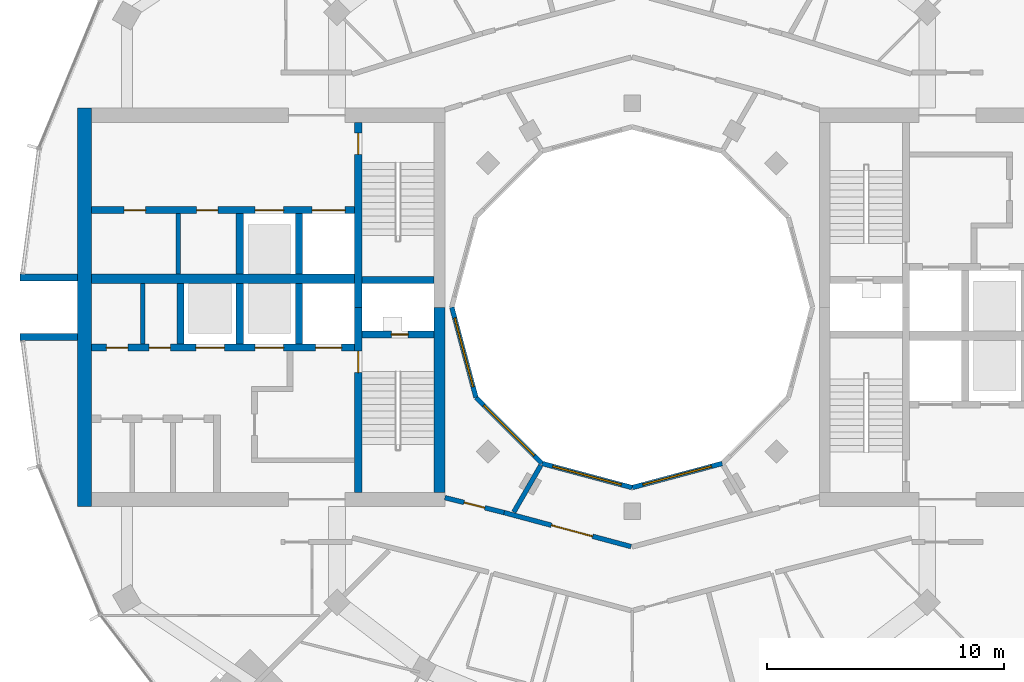
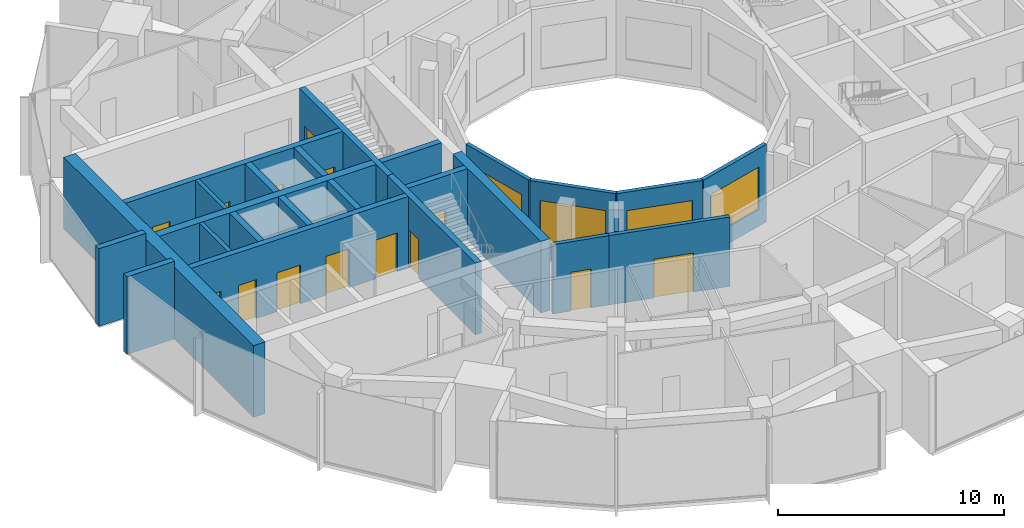
# One storey, part 9 of 15: 25 walls, 14 doors, 4 windows, 18 openings.
"""IFC4 building model written with IfcOpenShell, lengths in metres."""

from ifc_helpers import new_model, si_unit, direction, frame, frame_2d, origin, place, context, subcontext, project, spatial, rectangle, extrude, material, layer, layer_set, type_object, element, fill, save


model = new_model("IFC4")

# Units and contexts
model_context = context("Model", 3, precision=1e-05, world=origin(), true_north=direction((0.0, 1.0)))
body_context = subcontext(model_context, "Body", "Model", "MODEL_VIEW")
ifc_project = project(units=[si_unit("LENGTHUNIT", "METRE"), si_unit("AREAUNIT", "SQUARE_METRE"), si_unit("VOLUMEUNIT", "CUBIC_METRE"), si_unit("PLANEANGLEUNIT", "RADIAN"), si_unit("MASSUNIT", "GRAM", prefix="KILO")], contexts=[model_context])

# Site, building, storey
site_placement = place(None, origin())
site = spatial("IfcSite", under=ifc_project, at=site_placement, CompositionType="ELEMENT")
building_placement = place(site_placement, origin())
building = spatial("IfcBuilding", under=site, at=building_placement, Name="Torre Brocal", CompositionType="ELEMENT")
storey_placement = place(building_placement, frame((0.0, 0.0, 258.300048828125)))
storey = spatial("IfcBuildingStorey", under=building, at=storey_placement, Name="L59", CompositionType="ELEMENT", Elevation=258.300048828125)

# Walls
ifc_material_1 = material(Name="Masonry block", Category="masonry")
ifc_layer_1 = layer(ifc_material_1, 0.199951171875)
ifc_layer_set_1 = layer_set([ifc_layer_1], Name="Masonry block")
wall_type_1 = type_object("IfcWallType", Name="CORE PARTITION 200", PredefinedType="PARTITIONING", material=ifc_layer_set_1)
for number, where, z_axis, x_axis, name in (
    (1, (59.360107421875, 76.0, 0.0), (0.0, 0.0, 1.0), (0.0, -1.0, 0.0), "Wall CP200"),
    (2, (60.860107421875, 78.949951171875, 0.0), (0.0, 0.0, 1.0), (0.0, -1.0, 0.0), "Wall CP200"),
):
    element("IfcWall", number, at=place(storey_placement, frame(where, z_axis=z_axis, x_axis=x_axis)), inside=storey, type_object=wall_type_1, Name=name, PredefinedType="PARTITIONING", context=body_context, shape_type="SweptSolid", body=[
        extrude(rectangle(XDim=2.550048828125, YDim=0.199951171875, at=frame_2d((1.27490234375, 0.0))), origin(), (0.0, 0.0, 1.0), 3.8798828125),
    ])

# Wall, opening, door
ifc_material_2 = material(Name="Concrete C60", Category="concrete")
ifc_layer_2 = layer(ifc_material_2, 0.300048828125)
ifc_layer_set_2 = layer_set([ifc_layer_2], Name="Concrete C60")
wall_type_2 = type_object("IfcWallType", Name="CORE WALL 300 C60", PredefinedType="SHEAR", material=ifc_layer_set_2)
wall_1_placement = place(storey_placement, frame((68.449951171875, 75.0, 0.0), z_axis=(0.0, 0.0, 1.0), x_axis=(0.0, -1.0, 0.0)))
wall_1 = element("IfcWall", 3, at=wall_1_placement, inside=storey, type_object=wall_type_2, Name="Wall CW300-60", PredefinedType="SHEAR", context=body_context, shape_type="SweptSolid", body=[
    extrude(rectangle(XDim=7.800048828125, YDim=0.300048828125, at=frame_2d((3.89990234375, 0.0))), origin(), (0.0, 0.0, 1.0), 3.8798828125),
])
opening_1_placement = place(wall_1_placement, frame((1.85009765625, 0.0, 0.0)))
opening_1 = element("IfcOpeningElement", 4, at=opening_1_placement, cuts=wall_1, Name="Opening W-D02", PredefinedType="OPENING", context=body_context, shape_type="SweptSolid", body=[
    extrude(rectangle(XDim=0.89990234375, YDim=2.10009765625, at=frame_2d((0.449951171875, 1.050048828125))), frame((0.0, 0.159912109375, 0.0), z_axis=(0.0, -1.0, 0.0), x_axis=(1.0, 0.0, 0.0)), (0.0, 0.0, 1.0), 0.320068359375),
])
ifc_material_3 = material(Name="Steel A653", Category="steel")
door_type_1 = type_object("IfcDoorType", Name="STAIR DOOR FD120 900X2100", OperationType="SINGLE_SWING_RIGHT", PredefinedType="DOOR", material=ifc_material_3)
door_1_placement = place(opening_1_placement, origin())
door_1 = element("IfcDoor", 5, at=door_1_placement, inside=storey, type_object=door_type_1, Name="Door W-D02", OperationType="SINGLE_SWING_LEFT", OverallHeight=2.10009765625, OverallWidth=0.89990234375, PredefinedType="DOOR", context=body_context, shape_type="SweptSolid", body=[
    extrude(rectangle(XDim=0.89990234375, YDim=2.10009765625, at=frame_2d((0.449951171875, 1.050048828125))), frame((0.0, 0.02490234375, 0.0), z_axis=(0.0, -1.0, 0.0), x_axis=(1.0, 0.0, 0.0)), (0.0, 0.0, 1.0), 0.050048828125),
])
fill(opening_1, door_1)

wall_2_placement = place(storey_placement, frame((68.449951171875, 82.800048828125, 0.0), z_axis=(0.0, 0.0, 1.0), x_axis=(0.0, -1.0, 0.0)))
wall_2 = element("IfcWall", 6, at=wall_2_placement, inside=storey, type_object=wall_type_2, Name="Wall CW300-60", PredefinedType="SHEAR", context=body_context, shape_type="SweptSolid", body=[
    extrude(rectangle(XDim=7.800048828125, YDim=0.300048828125, at=frame_2d((3.89990234375, 0.0))), origin(), (0.0, 0.0, 1.0), 3.8798828125),
])
opening_2_placement = place(wall_2_placement, frame((0.449951171875, 0.0, 0.0)))
opening_2 = element("IfcOpeningElement", 7, at=opening_2_placement, cuts=wall_2, Name="Opening W-D03", PredefinedType="OPENING", context=body_context, shape_type="SweptSolid", body=[
    extrude(rectangle(XDim=0.89990234375, YDim=2.10009765625, at=frame_2d((0.449951171875, 1.050048828125))), frame((0.0, 0.159912109375, 0.0), z_axis=(0.0, -1.0, 0.0), x_axis=(1.0, 0.0, 0.0)), (0.0, 0.0, 1.0), 0.320068359375),
])
door_2_placement = place(opening_2_placement, origin())
door_2 = element("IfcDoor", 8, at=door_2_placement, inside=storey, type_object=door_type_1, Name="Door W-D03", OperationType="SINGLE_SWING_LEFT", OverallHeight=2.10009765625, OverallWidth=0.89990234375, PredefinedType="DOOR", context=body_context, shape_type="SweptSolid", body=[
    extrude(rectangle(XDim=0.89990234375, YDim=2.10009765625, at=frame_2d((0.449951171875, 1.050048828125))), frame((0.0, 0.02490234375, 0.0), z_axis=(0.0, -1.0, 0.0), x_axis=(1.0, 0.0, 0.0)), (0.0, 0.0, 1.0), 0.050048828125),
])
fill(opening_2, door_2)

wall_3_placement = place(storey_placement, frame((71.64990234375, 73.85009765625, 0.0), z_axis=(0.0, 0.0, 1.0), x_axis=(-1.0, 0.0, 0.0)))
wall_3 = element("IfcWall", 9, at=wall_3_placement, inside=storey, type_object=wall_type_2, Name="Wall CW300-60", PredefinedType="SHEAR", context=body_context, shape_type="SweptSolid", body=[
    extrude(rectangle(XDim=3.0498046875, YDim=0.300048828125, at=frame_2d((1.52490234375, 0.0))), origin(), (0.0, 0.0, 1.0), 3.8798828125),
])
opening_3_placement = place(wall_3_placement, frame((1.10009765625, 0.0, 0.0)))
opening_3 = element("IfcOpeningElement", 10, at=opening_3_placement, cuts=wall_3, Name="Opening W-D01", PredefinedType="OPENING", context=body_context, shape_type="SweptSolid", body=[
    extrude(rectangle(XDim=0.699951171875, YDim=2.0, at=frame_2d((0.35009765625, 1.0))), frame((0.0, 0.159912109375, 0.0), z_axis=(0.0, -1.0, 0.0), x_axis=(1.0, 0.0, 0.0)), (0.0, 0.0, 1.0), 0.320068359375),
])
ifc_material_4 = material(Name="Steel A653", Category="steel")
door_type_2 = type_object("IfcDoorType", Name="RISER DOOR FD120 700X2000", OperationType="SINGLE_SWING_LEFT", PredefinedType="DOOR", material=ifc_material_4)
door_3_placement = place(opening_3_placement, frame((0.699951171875, 0.0, 0.0), z_axis=(0.0, 0.0, 1.0), x_axis=(-1.0, 0.0, 0.0)))
door_3 = element("IfcDoor", 11, at=door_3_placement, inside=storey, type_object=door_type_2, Name="Door W-D01", OperationType="SINGLE_SWING_RIGHT", OverallHeight=2.0, OverallWidth=0.699951171875, PredefinedType="DOOR", context=body_context, shape_type="SweptSolid", body=[
    extrude(rectangle(XDim=0.699951171875, YDim=2.0, at=frame_2d((0.35009765625, 1.0))), frame((0.0, 0.02490234375, 0.0), z_axis=(0.0, -1.0, 0.0), x_axis=(1.0, 0.0, 0.0)), (0.0, 0.0, 1.0), 0.050048828125),
])
fill(opening_3, door_3)

# Wall
wall_4_placement = place(storey_placement, frame((71.64990234375, 76.14990234375, 0.0), z_axis=(0.0, 0.0, 1.0), x_axis=(-1.0, 0.0, 0.0)))
element("IfcWall", 12, at=wall_4_placement, inside=storey, type_object=wall_type_2, Name="Wall CW300-60", PredefinedType="SHEAR", context=body_context, shape_type="SweptSolid", body=[
    extrude(rectangle(XDim=3.0498046875, YDim=0.300048828125, at=frame_2d((1.52490234375, 0.0))), origin(), (0.0, 0.0, 1.0), 3.8798828125),
])

# Wall, openings, doors
wall_5_placement = place(storey_placement, frame((68.300048828125, 73.300048828125, 0.0), z_axis=(0.0, 0.0, 1.0), x_axis=(-1.0, 0.0, 0.0)))
wall_5 = element("IfcWall", 13, at=wall_5_placement, inside=storey, type_object=wall_type_2, Name="Wall CW300-60", PredefinedType="SHEAR", context=body_context, shape_type="SweptSolid", body=[
    extrude(rectangle(XDim=11.10009765625, YDim=0.300048828125, at=frame_2d((5.550048828125, 0.0))), origin(), (0.0, 0.0, 1.0), 3.8798828125),
])
opening_4_placement = place(wall_5_placement, frame((0.550048828125, 0.0, 0.0)))
opening_4 = element("IfcOpeningElement", 14, at=opening_4_placement, cuts=wall_5, Name="Opening LD", PredefinedType="OPENING", context=body_context, shape_type="SweptSolid", body=[
    extrude(rectangle(XDim=1.10009765625, YDim=2.10009765625, at=frame_2d((0.550048828125, 1.050048828125))), frame((0.0, 0.159912109375, 0.0), z_axis=(0.0, -1.0, 0.0), x_axis=(1.0, 0.0, 0.0)), (0.0, 0.0, 1.0), 0.320068359375),
])
opening_5_placement = place(wall_5_placement, frame((3.0, 0.0, 0.0)))
opening_5 = element("IfcOpeningElement", 15, at=opening_5_placement, cuts=wall_5, Name="Opening LD12", PredefinedType="OPENING", context=body_context, shape_type="SweptSolid", body=[
    extrude(rectangle(XDim=1.199951171875, YDim=2.10009765625, at=frame_2d((0.60009765625, 1.050048828125))), frame((0.0, 0.159912109375, 0.0), z_axis=(0.0, -1.0, 0.0), x_axis=(1.0, 0.0, 0.0)), (0.0, 0.0, 1.0), 0.320068359375),
])
opening_6_placement = place(wall_5_placement, frame((5.5, 0.0, 0.0)))
opening_6 = element("IfcOpeningElement", 16, at=opening_6_placement, cuts=wall_5, Name="Opening LD12", PredefinedType="OPENING", context=body_context, shape_type="SweptSolid", body=[
    extrude(rectangle(XDim=1.199951171875, YDim=2.10009765625, at=frame_2d((0.60009765625, 1.050048828125))), frame((0.0, 0.159912109375, 0.0), z_axis=(0.0, -1.0, 0.0), x_axis=(1.0, 0.0, 0.0)), (0.0, 0.0, 1.0), 0.320068359375),
])
opening_7_placement = place(wall_5_placement, frame((7.77001953125, 0.0, 0.0)))
opening_7 = element("IfcOpeningElement", 17, at=opening_7_placement, cuts=wall_5, Name="Opening W-D04", PredefinedType="OPENING", context=body_context, shape_type="SweptSolid", body=[
    extrude(rectangle(XDim=0.89990234375, YDim=2.10009765625, at=frame_2d((0.449951171875, 1.050048828125))), frame((0.0, 0.159912109375, 0.0), z_axis=(0.0, -1.0, 0.0), x_axis=(1.0, 0.0, 0.0)), (0.0, 0.0, 1.0), 0.320068359375),
])
opening_8_placement = place(wall_5_placement, frame((9.570068359375, 0.0, 0.0)))
opening_8 = element("IfcOpeningElement", 18, at=opening_8_placement, cuts=wall_5, Name="Opening W-D05", PredefinedType="OPENING", context=body_context, shape_type="SweptSolid", body=[
    extrude(rectangle(XDim=0.89990234375, YDim=2.10009765625, at=frame_2d((0.449951171875, 1.050048828125))), frame((0.0, 0.159912109375, 0.0), z_axis=(0.0, -1.0, 0.0), x_axis=(1.0, 0.0, 0.0)), (0.0, 0.0, 1.0), 0.320068359375),
])
ifc_material_5 = material(Name="Stainless steel AISI 316", Category="steel")
door_type_3 = type_object("IfcDoorType", Name="LIFT LANDING DOOR 1100X2100", OperationType="DOUBLE_DOOR_SLIDING", PredefinedType="DOOR", material=ifc_material_5)
door_4_placement = place(opening_4_placement, origin())
door_4 = element("IfcDoor", 19, at=door_4_placement, inside=storey, type_object=door_type_3, Name="Door LD", OperationType="DOUBLE_DOOR_SLIDING", OverallHeight=2.10009765625, OverallWidth=1.10009765625, PredefinedType="DOOR", context=body_context, shape_type="SweptSolid", body=[
    extrude(rectangle(XDim=1.10009765625, YDim=2.10009765625, at=frame_2d((0.550048828125, 1.050048828125))), frame((0.0, 0.02490234375, 0.0), z_axis=(0.0, -1.0, 0.0), x_axis=(1.0, 0.0, 0.0)), (0.0, 0.0, 1.0), 0.050048828125),
])
fill(opening_4, door_4)
ifc_material_6 = material(Name="Stainless steel AISI 316", Category="steel")
door_type_4 = type_object("IfcDoorType", Name="LIFT LANDING DOOR 1200X2100", OperationType="DOUBLE_DOOR_SLIDING", PredefinedType="DOOR", material=ifc_material_6)
door_5_placement = place(opening_5_placement, origin())
door_5 = element("IfcDoor", 20, at=door_5_placement, inside=storey, type_object=door_type_4, Name="Door LD12", OperationType="DOUBLE_DOOR_SLIDING", OverallHeight=2.10009765625, OverallWidth=1.199951171875, PredefinedType="DOOR", context=body_context, shape_type="SweptSolid", body=[
    extrude(rectangle(XDim=1.199951171875, YDim=2.10009765625, at=frame_2d((0.60009765625, 1.050048828125))), frame((0.0, 0.02490234375, 0.0), z_axis=(0.0, -1.0, 0.0), x_axis=(1.0, 0.0, 0.0)), (0.0, 0.0, 1.0), 0.050048828125),
])
fill(opening_5, door_5)
door_6_placement = place(opening_6_placement, origin())
door_6 = element("IfcDoor", 21, at=door_6_placement, inside=storey, type_object=door_type_4, Name="Door LD12", OperationType="DOUBLE_DOOR_SLIDING", OverallHeight=2.10009765625, OverallWidth=1.199951171875, PredefinedType="DOOR", context=body_context, shape_type="SweptSolid", body=[
    extrude(rectangle(XDim=1.199951171875, YDim=2.10009765625, at=frame_2d((0.60009765625, 1.050048828125))), frame((0.0, 0.02490234375, 0.0), z_axis=(0.0, -1.0, 0.0), x_axis=(1.0, 0.0, 0.0)), (0.0, 0.0, 1.0), 0.050048828125),
])
fill(opening_6, door_6)
ifc_material_7 = material(Name="Steel A653", Category="steel")
door_type_5 = type_object("IfcDoorType", Name="ROOM DOOR FD30S 900X2100", OperationType="SINGLE_SWING_LEFT", PredefinedType="DOOR", material=ifc_material_7)
door_7_placement = place(opening_7_placement, frame((0.89990234375, 0.0, 0.0), z_axis=(0.0, 0.0, 1.0), x_axis=(-1.0, 0.0, 0.0)))
door_7 = element("IfcDoor", 22, at=door_7_placement, inside=storey, type_object=door_type_5, Name="Door W-D04", OperationType="SINGLE_SWING_LEFT", OverallHeight=2.10009765625, OverallWidth=0.89990234375, PredefinedType="DOOR", context=body_context, shape_type="SweptSolid", body=[
    extrude(rectangle(XDim=0.89990234375, YDim=2.10009765625, at=frame_2d((0.449951171875, 1.050048828125))), frame((0.0, 0.02490234375, 0.0), z_axis=(0.0, -1.0, 0.0), x_axis=(1.0, 0.0, 0.0)), (0.0, 0.0, 1.0), 0.050048828125),
])
fill(opening_7, door_7)
door_8_placement = place(opening_8_placement, frame((0.89990234375, 0.0, 0.0), z_axis=(0.0, 0.0, 1.0), x_axis=(-1.0, 0.0, 0.0)))
door_8 = element("IfcDoor", 23, at=door_8_placement, inside=storey, type_object=door_type_5, Name="Door W-D05", OperationType="SINGLE_SWING_RIGHT", OverallHeight=2.10009765625, OverallWidth=0.89990234375, PredefinedType="DOOR", context=body_context, shape_type="SweptSolid", body=[
    extrude(rectangle(XDim=0.89990234375, YDim=2.10009765625, at=frame_2d((0.449951171875, 1.050048828125))), frame((0.0, 0.02490234375, 0.0), z_axis=(0.0, -1.0, 0.0), x_axis=(1.0, 0.0, 0.0)), (0.0, 0.0, 1.0), 0.050048828125),
])
fill(opening_8, door_8)

wall_6_placement = place(storey_placement, frame((68.300048828125, 79.10009765625, 0.0), z_axis=(0.0, 0.0, 1.0), x_axis=(-1.0, 0.0, 0.0)))
wall_6 = element("IfcWall", 24, at=wall_6_placement, inside=storey, type_object=wall_type_2, Name="Wall CW300-60", PredefinedType="SHEAR", context=body_context, shape_type="SweptSolid", body=[
    extrude(rectangle(XDim=11.10009765625, YDim=0.300048828125, at=frame_2d((5.550048828125, 0.0))), origin(), (0.0, 0.0, 1.0), 3.8798828125),
])
opening_9_placement = place(wall_6_placement, frame((0.39990234375, 0.0, 0.0)))
opening_9 = element("IfcOpeningElement", 25, at=opening_9_placement, cuts=wall_6, Name="Opening LD14", PredefinedType="OPENING", context=body_context, shape_type="SweptSolid", body=[
    extrude(rectangle(XDim=1.39990234375, YDim=2.10009765625, at=frame_2d((0.699951171875, 1.050048828125))), frame((0.0, 0.159912109375, 0.0), z_axis=(0.0, -1.0, 0.0), x_axis=(1.0, 0.0, 0.0)), (0.0, 0.0, 1.0), 0.320068359375),
])
opening_10_placement = place(wall_6_placement, frame((3.0, 0.0, 0.0)))
opening_10 = element("IfcOpeningElement", 26, at=opening_10_placement, cuts=wall_6, Name="Opening LD12", PredefinedType="OPENING", context=body_context, shape_type="SweptSolid", body=[
    extrude(rectangle(XDim=1.199951171875, YDim=2.10009765625, at=frame_2d((0.60009765625, 1.050048828125))), frame((0.0, 0.159912109375, 0.0), z_axis=(0.0, -1.0, 0.0), x_axis=(1.0, 0.0, 0.0)), (0.0, 0.0, 1.0), 0.320068359375),
])
opening_11_placement = place(wall_6_placement, frame((5.77001953125, 0.0, 0.0)))
opening_11 = element("IfcOpeningElement", 27, at=opening_11_placement, cuts=wall_6, Name="Opening W-D06", PredefinedType="OPENING", context=body_context, shape_type="SweptSolid", body=[
    extrude(rectangle(XDim=0.89990234375, YDim=2.10009765625, at=frame_2d((0.449951171875, 1.050048828125))), frame((0.0, 0.159912109375, 0.0), z_axis=(0.0, -1.0, 0.0), x_axis=(1.0, 0.0, 0.0)), (0.0, 0.0, 1.0), 0.320068359375),
])
opening_12_placement = place(wall_6_placement, frame((8.820068359375, 0.0, 0.0)))
opening_12 = element("IfcOpeningElement", 28, at=opening_12_placement, cuts=wall_6, Name="Opening W-D07", PredefinedType="OPENING", context=body_context, shape_type="SweptSolid", body=[
    extrude(rectangle(XDim=0.89990234375, YDim=2.10009765625, at=frame_2d((0.449951171875, 1.050048828125))), frame((0.0, 0.159912109375, 0.0), z_axis=(0.0, -1.0, 0.0), x_axis=(1.0, 0.0, 0.0)), (0.0, 0.0, 1.0), 0.320068359375),
])
door_9_placement = place(opening_10_placement, origin())
door_9 = element("IfcDoor", 29, at=door_9_placement, inside=storey, type_object=door_type_4, Name="Door LD12", OperationType="DOUBLE_DOOR_SLIDING", OverallHeight=2.10009765625, OverallWidth=1.199951171875, PredefinedType="DOOR", context=body_context, shape_type="SweptSolid", body=[
    extrude(rectangle(XDim=1.199951171875, YDim=2.10009765625, at=frame_2d((0.60009765625, 1.050048828125))), frame((0.0, 0.02490234375, 0.0), z_axis=(0.0, -1.0, 0.0), x_axis=(1.0, 0.0, 0.0)), (0.0, 0.0, 1.0), 0.050048828125),
])
fill(opening_10, door_9)
ifc_material_8 = material(Name="Stainless steel AISI 316", Category="steel")
door_type_6 = type_object("IfcDoorType", Name="LIFT LANDING DOOR 1400X2100", OperationType="DOUBLE_DOOR_SLIDING", PredefinedType="DOOR", material=ifc_material_8)
door_10_placement = place(opening_9_placement, origin())
door_10 = element("IfcDoor", 30, at=door_10_placement, inside=storey, type_object=door_type_6, Name="Door LD14", OperationType="DOUBLE_DOOR_SLIDING", OverallHeight=2.10009765625, OverallWidth=1.39990234375, PredefinedType="DOOR", context=body_context, shape_type="SweptSolid", body=[
    extrude(rectangle(XDim=1.39990234375, YDim=2.10009765625, at=frame_2d((0.699951171875, 1.050048828125))), frame((0.0, 0.02490234375, 0.0), z_axis=(0.0, -1.0, 0.0), x_axis=(1.0, 0.0, 0.0)), (0.0, 0.0, 1.0), 0.050048828125),
])
fill(opening_9, door_10)
door_11_placement = place(opening_11_placement, origin())
door_11 = element("IfcDoor", 31, at=door_11_placement, inside=storey, type_object=door_type_5, Name="Door W-D06", OperationType="SINGLE_SWING_RIGHT", OverallHeight=2.10009765625, OverallWidth=0.89990234375, PredefinedType="DOOR", context=body_context, shape_type="SweptSolid", body=[
    extrude(rectangle(XDim=0.89990234375, YDim=2.10009765625, at=frame_2d((0.449951171875, 1.050048828125))), frame((0.0, 0.02490234375, 0.0), z_axis=(0.0, -1.0, 0.0), x_axis=(1.0, 0.0, 0.0)), (0.0, 0.0, 1.0), 0.050048828125),
])
fill(opening_11, door_11)
door_12_placement = place(opening_12_placement, origin())
door_12 = element("IfcDoor", 32, at=door_12_placement, inside=storey, type_object=door_type_5, Name="Door W-D07", OperationType="SINGLE_SWING_LEFT", OverallHeight=2.10009765625, OverallWidth=0.89990234375, PredefinedType="DOOR", context=body_context, shape_type="SweptSolid", body=[
    extrude(rectangle(XDim=0.89990234375, YDim=2.10009765625, at=frame_2d((0.449951171875, 1.050048828125))), frame((0.0, 0.02490234375, 0.0), z_axis=(0.0, -1.0, 0.0), x_axis=(1.0, 0.0, 0.0)), (0.0, 0.0, 1.0), 0.050048828125),
])
fill(opening_12, door_12)

# Walls
for number, where, z_axis, x_axis, name in (
    (33, (65.949951171875, 76.0, 0.0), (0.0, 0.0, 1.0), (0.0, -1.0, 0.0), "Wall CW300-60"),
    (34, (63.449951171875, 76.0, 0.0), (0.0, 0.0, 1.0), (0.0, -1.0, 0.0), "Wall CW300-60"),
    (35, (60.949951171875, 76.0, 0.0), (0.0, 0.0, 1.0), (0.0, -1.0, 0.0), "Wall CW300-60"),
    (36, (65.949951171875, 78.949951171875, 0.0), (0.0, 0.0, 1.0), (0.0, -1.0, 0.0), "Wall CW300-60"),
    (37, (63.449951171875, 78.949951171875, 0.0), (0.0, 0.0, 1.0), (0.0, -1.0, 0.0), "Wall CW300-60"),
):
    element("IfcWall", number, at=place(storey_placement, frame(where, z_axis=z_axis, x_axis=x_axis)), inside=storey, type_object=wall_type_2, Name=name, PredefinedType="SHEAR", context=body_context, shape_type="SweptSolid", body=[
        extrude(rectangle(XDim=2.550048828125, YDim=0.300048828125, at=frame_2d((1.27490234375, 0.0))), origin(), (0.0, 0.0, 1.0), 3.8798828125),
    ])
ifc_material_9 = material(Name="Concrete C60", Category="concrete")
ifc_layer_3 = layer(ifc_material_9, 0.39990234375)
ifc_layer_set_3 = layer_set([ifc_layer_3], Name="Concrete C60")
wall_type_3 = type_object("IfcWallType", Name="CORE WALL 400 C60", PredefinedType="SHEAR", material=ifc_layer_set_3)
wall_7_placement = place(storey_placement, frame((68.300048828125, 76.199951171875, 0.0), z_axis=(0.0, 0.0, 1.0), x_axis=(-1.0, 0.0, 0.0)))
element("IfcWall", 38, at=wall_7_placement, inside=storey, type_object=wall_type_3, Name="Wall CW400-60", PredefinedType="SHEAR", context=body_context, shape_type="SweptSolid", body=[
    extrude(rectangle(XDim=11.10009765625, YDim=0.39990234375, at=frame_2d((5.550048828125, 0.0))), origin(), (0.0, 0.0, 1.0), 3.8798828125),
])
ifc_material_10 = material(Name="Concrete C60", Category="concrete")
ifc_layer_4 = layer(ifc_material_10, 0.449951171875)
ifc_layer_set_4 = layer_set([ifc_layer_4], Name="Concrete C60")
wall_type_4 = type_object("IfcWallType", Name="CORE WALL 450 C60", PredefinedType="SHEAR", material=ifc_layer_set_4)
wall_8_placement = place(storey_placement, frame((71.875, 75.0, 0.0), z_axis=(0.0, 0.0, 1.0), x_axis=(0.0, -1.0, 0.0)))
element("IfcWall", 39, at=wall_8_placement, inside=storey, type_object=wall_type_4, Name="Wall CW450-60", PredefinedType="SHEAR", context=body_context, shape_type="SweptSolid", body=[
    extrude(rectangle(XDim=7.800048828125, YDim=0.449951171875, at=frame_2d((3.89990234375, 0.0))), origin(), (0.0, 0.0, 1.0), 3.8798828125),
])
ifc_material_11 = material(Name="Concrete C60", Category="concrete")
ifc_layer_5 = layer(ifc_material_11, 0.60009765625)
ifc_layer_set_5 = layer_set([ifc_layer_5], Name="Concrete C60")
wall_type_5 = type_object("IfcWallType", Name="CORE WALL 600 C60", PredefinedType="SHEAR", material=ifc_layer_set_5)
wall_9_placement = place(storey_placement, frame((56.89990234375, 83.39990234375, 0.0), z_axis=(0.0, 0.0, 1.0), x_axis=(0.0, -1.0, 0.0)))
element("IfcWall", 40, at=wall_9_placement, inside=storey, type_object=wall_type_5, Name="Wall CW600-60", PredefinedType="SHEAR", context=body_context, shape_type="SweptSolid", body=[
    extrude(rectangle(XDim=16.7998046875, YDim=0.60009765625, at=frame_2d((8.39990234375, 0.0))), origin(), (0.0, 0.0, 1.0), 3.8798828125),
])
ifc_material_12 = material(Name="Concrete C60", Category="concrete")
ifc_layer_6 = layer(ifc_material_12, 0.300048828125)
ifc_layer_set_6 = layer_set([ifc_layer_6], Name="Concrete C60")
wall_type_6 = type_object("IfcWallType", Name="NOTCH RETURN WALL 300 C60", PredefinedType="NOTDEFINED", material=ifc_layer_set_6)
for number, where, z_axis, x_axis, name in (
    (41, (56.60009765625, 76.25, 0.0), (0.0, 0.0, 1.0), (-1.0, 0.0, 0.0), "NOTCH RETURN WALL"),
    (42, (56.60009765625, 73.75, 0.0), (0.0, 0.0, 1.0), (-1.0, 0.0, 0.0), "NOTCH RETURN WALL"),
):
    element("IfcWall", number, at=place(storey_placement, frame(where, z_axis=z_axis, x_axis=x_axis)), inside=storey, type_object=wall_type_6, Name=name, PredefinedType="NOTDEFINED", context=body_context, shape_type="SweptSolid", body=[
        extrude(rectangle(XDim=2.415771484375, YDim=0.300048828125, at=frame_2d((1.2080078125, 0.0))), origin(), (0.0, 0.0, 1.0), 4.199951171875),
    ])

# Wall, opening, door
ifc_material_13 = material(Name="Gypsum board", Category="Gypsum")
ifc_layer_7 = layer(ifc_material_13, 0.199951171875)
ifc_layer_set_7 = layer_set([ifc_layer_7], Name="Gypsum board")
wall_type_7 = type_object("IfcWallType", Name="PARTITION 200 EI60", PredefinedType="PARTITIONING", material=ifc_layer_set_7)
wall_10_placement = place(storey_placement, frame((72.10009765625, 66.97509765625, 0.0), z_axis=(0.0, 0.0, 1.0), x_axis=(0.969471314457, -0.245204752086, 0.0)))
wall_10 = element("IfcWall", 43, at=wall_10_placement, inside=storey, type_object=wall_type_7, Name="CORRIDOR WALL", PredefinedType="PARTITIONING", context=body_context, shape_type="SweptSolid", body=[
    extrude(rectangle(XDim=2.581787109375, YDim=0.199951171875, at=frame_2d((1.291015625, 0.0))), origin(), (0.0, 0.0, 1.0), 3.75),
])
opening_13_placement = place(wall_10_placement, frame((0.8408203125, 0.0, 0.0)))
opening_13 = element("IfcOpeningElement", 44, at=opening_13_placement, cuts=wall_10, Name="Opening B04-D41", PredefinedType="OPENING", context=body_context, shape_type="SweptSolid", body=[
    extrude(rectangle(XDim=0.89990234375, YDim=2.10009765625, at=frame_2d((0.449951171875, 1.050048828125))), frame((0.0, 0.10986328125, 0.0), z_axis=(0.0, -1.0, 0.0), x_axis=(1.0, 0.0, 0.0)), (0.0, 0.0, 1.0), 0.219970703125),
])
ifc_material_14 = material(Name="Timber", Category="wood")
door_type_7 = type_object("IfcDoorType", Name="ROOM DOOR 900X2100", OperationType="SINGLE_SWING_LEFT", PredefinedType="DOOR", material=ifc_material_14)
door_13_placement = place(opening_13_placement, origin())
door_13 = element("IfcDoor", 45, at=door_13_placement, inside=storey, type_object=door_type_7, Name="B04-D41", OperationType="SINGLE_SWING_LEFT", OverallHeight=2.10009765625, OverallWidth=0.89990234375, PredefinedType="DOOR", context=body_context, shape_type="SweptSolid", body=[
    extrude(rectangle(XDim=0.89990234375, YDim=2.10009765625, at=frame_2d((0.449951171875, 1.050048828125))), frame((0.0, 0.02490234375, 0.0), z_axis=(0.0, -1.0, 0.0), x_axis=(1.0, 0.0, 0.0)), (0.0, 0.0, 1.0), 0.050048828125),
])
fill(opening_13, door_13)

wall_11_placement = place(storey_placement, frame((74.60302734375, 66.34228515625, 0.0), z_axis=(0.0, 0.0, 1.0), x_axis=(0.965895298152, -0.258932950796, 0.0)))
wall_11 = element("IfcWall", 46, at=wall_11_placement, inside=storey, type_object=wall_type_7, Name="CORRIDOR WALL", PredefinedType="PARTITIONING", context=body_context, shape_type="SweptSolid", body=[
    extrude(rectangle(XDim=5.53759765625, YDim=0.199951171875, at=frame_2d((2.768798828125, 0.0))), origin(), (0.0, 0.0, 1.0), 3.75),
])
opening_14_placement = place(wall_11_placement, frame((2.0625, 0.0, 0.0)))
opening_14 = element("IfcOpeningElement", 47, at=opening_14_placement, cuts=wall_11, Name="Opening B04-D40", PredefinedType="OPENING", context=body_context, shape_type="SweptSolid", body=[
    extrude(rectangle(XDim=1.800048828125, YDim=2.10009765625, at=frame_2d((0.89990234375, 1.050048828125))), frame((0.0, 0.10986328125, 0.0), z_axis=(0.0, -1.0, 0.0), x_axis=(1.0, 0.0, 0.0)), (0.0, 0.0, 1.0), 0.219970703125),
])
ifc_material_15 = material(Name="Timber", Category="wood")
door_type_8 = type_object("IfcDoorType", Name="DOUBLE DOOR 1800X2100", OperationType="DOUBLE_DOOR_SINGLE_SWING", PredefinedType="DOOR", material=ifc_material_15)
door_14_placement = place(opening_14_placement, origin())
door_14 = element("IfcDoor", 48, at=door_14_placement, inside=storey, type_object=door_type_8, Name="B04-D40", OperationType="DOUBLE_DOOR_SINGLE_SWING", OverallHeight=2.10009765625, OverallWidth=1.800048828125, PredefinedType="DOOR", context=body_context, shape_type="SweptSolid", body=[
    extrude(rectangle(XDim=1.800048828125, YDim=2.10009765625, at=frame_2d((0.89990234375, 1.050048828125))), frame((0.0, 0.02490234375, 0.0), z_axis=(0.0, -1.0, 0.0), x_axis=(1.0, 0.0, 0.0)), (0.0, 0.0, 1.0), 0.050048828125),
])
fill(opening_14, door_14)

# Wall
wall_12_placement = place(storey_placement, frame((75.01123046875, 66.363525390625, 0.0), z_axis=(0.0, 0.0, 1.0), x_axis=(0.500121996664, 0.86595495752, 0.0)))
element("IfcWall", 49, at=wall_12_placement, inside=storey, type_object=wall_type_7, Name="SERVICE ROOM WALL", PredefinedType="PARTITIONING", context=body_context, shape_type="SweptSolid", body=[
    extrude(rectangle(XDim=2.2744140625, YDim=0.199951171875, at=frame_2d((1.13720703125, 0.0))), origin(), (0.0, 0.0, 1.0), 3.75),
])

# Wall, opening, window
ifc_material_16 = material(Name="Concrete C40", Category="concrete")
ifc_layer_8 = layer(ifc_material_16, 0.199951171875)
ifc_layer_set_8 = layer_set([ifc_layer_8], Name="Concrete C40")
wall_type_8 = type_object("IfcWallType", Name="WELL FACADE WALL 200", PredefinedType="NOTDEFINED", material=ifc_layer_set_8)
wall_13_placement = place(storey_placement, frame((72.396484375, 75.0, 0.0), z_axis=(0.0, 0.0, 1.0), x_axis=(0.258789828301, -0.965933654434, 0.0)))
wall_13 = element("IfcWall", 50, at=wall_13_placement, inside=storey, type_object=wall_type_8, Name="WELL FACADE WALL", PredefinedType="NOTDEFINED", context=body_context, shape_type="SweptSolid", body=[
    extrude(rectangle(XDim=3.935791015625, YDim=0.199951171875, at=frame_2d((1.9677734375, 0.0))), origin(), (0.0, 0.0, 1.0), 4.199951171875),
])
opening_15_placement = place(wall_13_placement, frame((0.468017578125, 0.0, 0.89990234375)))
opening_15 = element("IfcOpeningElement", 51, at=opening_15_placement, cuts=wall_13, Name="Opening W1", PredefinedType="OPENING", context=body_context, shape_type="SweptSolid", body=[
    extrude(rectangle(XDim=3.0, YDim=2.300048828125, at=frame_2d((1.5, 1.14990234375))), frame((0.0, 0.10986328125, 0.0), z_axis=(0.0, -1.0, 0.0), x_axis=(1.0, 0.0, 0.0)), (0.0, 0.0, 1.0), 0.219970703125),
])
ifc_material_17 = material(Name="Aluminium and glass", Category="aluminium")
window_type = type_object("IfcWindowType", Name="WELL WINDOW 3000X2300", PartitioningType="SINGLE_PANEL", PredefinedType="WINDOW", material=ifc_material_17)
window_1_placement = place(opening_15_placement, origin())
window_1 = element("IfcWindow", 52, at=window_1_placement, inside=storey, type_object=window_type, Name="WELL WINDOW 3000X2300", OverallHeight=2.300048828125, OverallWidth=3.0, PartitioningType="SINGLE_PANEL", PredefinedType="WINDOW", context=body_context, shape_type="SweptSolid", body=[
    extrude(rectangle(XDim=3.0, YDim=2.300048828125, at=frame_2d((1.5, 1.14990234375))), frame((0.0, 0.030029296875, 0.0), z_axis=(0.0, -1.0, 0.0), x_axis=(1.0, 0.0, 0.0)), (0.0, 0.0, 1.0), 0.06005859375),
])
fill(opening_15, window_1)

wall_14_placement = place(storey_placement, frame((73.4150390625, 71.1982421875, 0.0), z_axis=(0.0, 0.0, 1.0), x_axis=(0.707106781187, -0.707106781187, 0.0)))
wall_14 = element("IfcWall", 53, at=wall_14_placement, inside=storey, type_object=wall_type_8, Name="WELL FACADE WALL", PredefinedType="NOTDEFINED", context=body_context, shape_type="SweptSolid", body=[
    extrude(rectangle(XDim=3.93603515625, YDim=0.199951171875, at=frame_2d((1.968017578125, 0.0))), origin(), (0.0, 0.0, 1.0), 4.199951171875),
])
opening_16_placement = place(wall_14_placement, frame((0.468017578125, 0.0, 0.89990234375)))
opening_16 = element("IfcOpeningElement", 54, at=opening_16_placement, cuts=wall_14, Name="Opening W1", PredefinedType="OPENING", context=body_context, shape_type="SweptSolid", body=[
    extrude(rectangle(XDim=3.0, YDim=2.300048828125, at=frame_2d((1.5, 1.14990234375))), frame((0.0, 0.10986328125, 0.0), z_axis=(0.0, -1.0, 0.0), x_axis=(1.0, 0.0, 0.0)), (0.0, 0.0, 1.0), 0.219970703125),
])
window_2_placement = place(opening_16_placement, origin())
window_2 = element("IfcWindow", 55, at=window_2_placement, inside=storey, type_object=window_type, Name="WELL WINDOW 3000X2300", OverallHeight=2.300048828125, OverallWidth=3.0, PartitioningType="SINGLE_PANEL", PredefinedType="WINDOW", context=body_context, shape_type="SweptSolid", body=[
    extrude(rectangle(XDim=3.0, YDim=2.300048828125, at=frame_2d((1.5, 1.14990234375))), frame((0.0, 0.030029296875, 0.0), z_axis=(0.0, -1.0, 0.0), x_axis=(1.0, 0.0, 0.0)), (0.0, 0.0, 1.0), 0.06005859375),
])
fill(opening_16, window_2)

wall_15_placement = place(storey_placement, frame((76.1982421875, 68.4150390625, 0.0), z_axis=(0.0, 0.0, 1.0), x_axis=(0.965933654434, -0.258789828301, 0.0)))
wall_15 = element("IfcWall", 56, at=wall_15_placement, inside=storey, type_object=wall_type_8, Name="WELL FACADE WALL", PredefinedType="NOTDEFINED", context=body_context, shape_type="SweptSolid", body=[
    extrude(rectangle(XDim=3.935791015625, YDim=0.199951171875, at=frame_2d((1.9677734375, 0.0))), origin(), (0.0, 0.0, 1.0), 4.199951171875),
])
opening_17_placement = place(wall_15_placement, frame((0.468017578125, 0.0, 0.89990234375)))
opening_17 = element("IfcOpeningElement", 57, at=opening_17_placement, cuts=wall_15, Name="Opening W1", PredefinedType="OPENING", context=body_context, shape_type="SweptSolid", body=[
    extrude(rectangle(XDim=3.0, YDim=2.300048828125, at=frame_2d((1.5, 1.14990234375))), frame((0.0, 0.10986328125, 0.0), z_axis=(0.0, -1.0, 0.0), x_axis=(1.0, 0.0, 0.0)), (0.0, 0.0, 1.0), 0.219970703125),
])
window_3_placement = place(opening_17_placement, origin())
window_3 = element("IfcWindow", 58, at=window_3_placement, inside=storey, type_object=window_type, Name="WELL WINDOW 3000X2300", OverallHeight=2.300048828125, OverallWidth=3.0, PartitioningType="SINGLE_PANEL", PredefinedType="WINDOW", context=body_context, shape_type="SweptSolid", body=[
    extrude(rectangle(XDim=3.0, YDim=2.300048828125, at=frame_2d((1.5, 1.14990234375))), frame((0.0, 0.030029296875, 0.0), z_axis=(0.0, -1.0, 0.0), x_axis=(1.0, 0.0, 0.0)), (0.0, 0.0, 1.0), 0.06005859375),
])
fill(opening_17, window_3)

wall_16_placement = place(storey_placement, frame((80.0, 67.396484375, 0.0), z_axis=(0.0, 0.0, 1.0), x_axis=(0.965933654434, 0.258789828301, 0.0)))
wall_16 = element("IfcWall", 59, at=wall_16_placement, inside=storey, type_object=wall_type_8, Name="WELL FACADE WALL", PredefinedType="NOTDEFINED", context=body_context, shape_type="SweptSolid", body=[
    extrude(rectangle(XDim=3.935791015625, YDim=0.199951171875, at=frame_2d((1.9677734375, 0.0))), origin(), (0.0, 0.0, 1.0), 4.199951171875),
])
opening_18_placement = place(wall_16_placement, frame((0.468017578125, 0.0, 0.89990234375)))
opening_18 = element("IfcOpeningElement", 60, at=opening_18_placement, cuts=wall_16, Name="Opening W1", PredefinedType="OPENING", context=body_context, shape_type="SweptSolid", body=[
    extrude(rectangle(XDim=3.0, YDim=2.300048828125, at=frame_2d((1.5, 1.14990234375))), frame((0.0, 0.10986328125, 0.0), z_axis=(0.0, -1.0, 0.0), x_axis=(1.0, 0.0, 0.0)), (0.0, 0.0, 1.0), 0.219970703125),
])
window_4_placement = place(opening_18_placement, origin())
window_4 = element("IfcWindow", 61, at=window_4_placement, inside=storey, type_object=window_type, Name="WELL WINDOW 3000X2300", OverallHeight=2.300048828125, OverallWidth=3.0, PartitioningType="SINGLE_PANEL", PredefinedType="WINDOW", context=body_context, shape_type="SweptSolid", body=[
    extrude(rectangle(XDim=3.0, YDim=2.300048828125, at=frame_2d((1.5, 1.14990234375))), frame((0.0, 0.030029296875, 0.0), z_axis=(0.0, -1.0, 0.0), x_axis=(1.0, 0.0, 0.0)), (0.0, 0.0, 1.0), 0.06005859375),
])
fill(opening_18, window_4)

save(model, "model.ifc")
